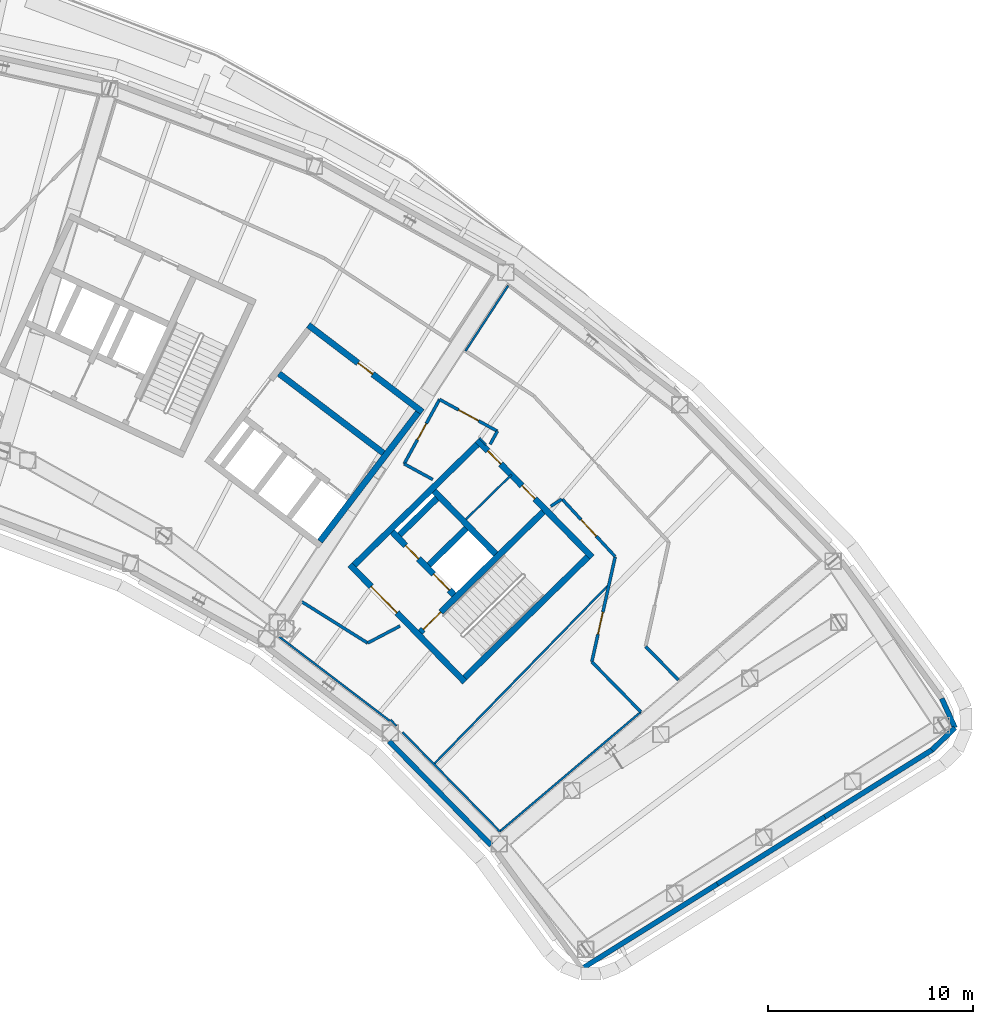
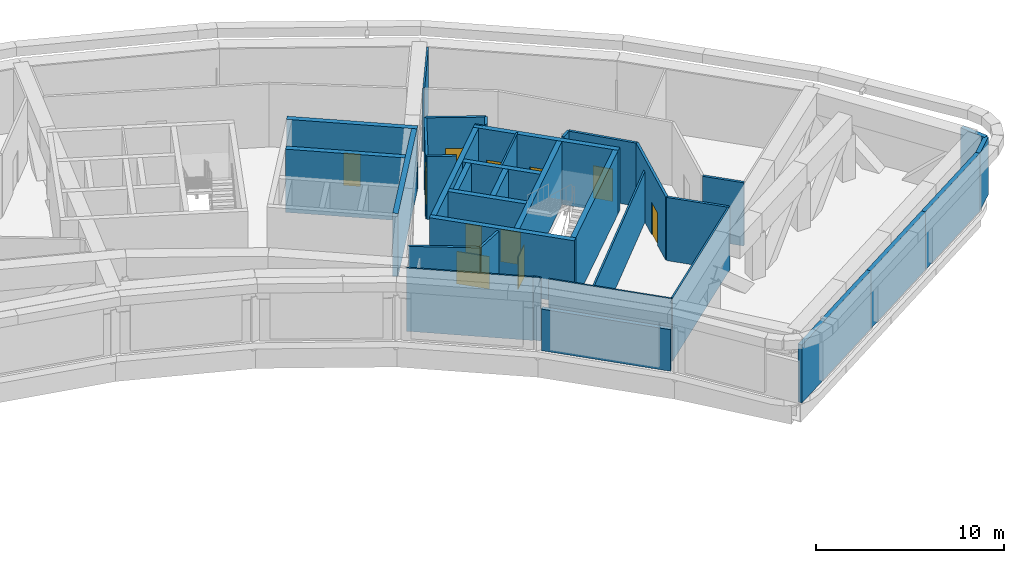
# One storey, part 10 of 24: 37 walls, 11 doors, 11 openings.
"""IFC4 building model written with IfcOpenShell, lengths in metres."""

from ifc_helpers import new_model, si_unit, direction, frame, frame_2d, origin, place, context, subcontext, project, spatial, rectangle, extrude, material, layer, layer_set, type_object, element, fill, save


model = new_model("IFC4")

# Units and contexts
model_context = context("Model", 3, precision=1e-05, world=origin(), true_north=direction((0.0, 1.0)))
body_context = subcontext(model_context, "Body", "Model", "MODEL_VIEW")
ifc_project = project(units=[si_unit("LENGTHUNIT", "METRE"), si_unit("AREAUNIT", "SQUARE_METRE"), si_unit("VOLUMEUNIT", "CUBIC_METRE"), si_unit("PLANEANGLEUNIT", "RADIAN"), si_unit("MASSUNIT", "GRAM", prefix="KILO")], contexts=[model_context])

# Site, building, storey
site_placement = place(None, origin())
site = spatial("IfcSite", under=ifc_project, at=site_placement, CompositionType="ELEMENT")
building_placement = place(site_placement, origin())
building = spatial("IfcBuilding", under=site, at=building_placement, Name="Tuul Gate Civic Tower", CompositionType="ELEMENT")
storey_placement = place(building_placement, frame((0.0, 0.0, 94.800048828125)))
storey = spatial("IfcBuildingStorey", under=building, at=storey_placement, Name="Plant and refuge floor 3", CompositionType="ELEMENT", Elevation=94.800048828125)

# Wall, opening, door
ifc_material_1 = material(Name="Concrete C50/60", Category="concrete")
ifc_layer_1 = layer(ifc_material_1, 0.300048828125)
ifc_layer_set_1 = layer_set([ifc_layer_1], Name="Concrete C50/60")
wall_type_1 = type_object("IfcWallType", Name="Core wall C50/60", PredefinedType="SHEAR", material=ifc_layer_set_1)
wall_1_placement = place(storey_placement, frame((48.22509765625, -18.327880859375, 0.0), z_axis=(0.0, 0.0, 1.0), x_axis=(-0.700021979774, 0.714121297703, 0.0)))
wall_1 = element("IfcWall", 1, at=wall_1_placement, inside=storey, type_object=wall_type_1, Name="Core wall", PredefinedType="SHEAR", context=body_context, shape_type="SweptSolid", body=[
    extrude(rectangle(XDim=8.0, YDim=0.300048828125, at=frame_2d((4.0, 0.0))), origin(), (0.0, 0.0, 1.0), 4.099853515625),
])
opening_1_placement = place(wall_1_placement, frame((4.72509765625, 0.0, 0.0)))
opening_1 = element("IfcOpeningElement", 2, at=opening_1_placement, cuts=wall_1, Name="Opening LB-E1-LOBBY-1", PredefinedType="OPENING", context=body_context, shape_type="SweptSolid", body=[
    extrude(rectangle(XDim=1.800048828125, YDim=2.10009765625, at=frame_2d((0.89990234375, 1.050048828125))), frame((0.0, 0.16015625, 0.0), z_axis=(0.0, -1.0, 0.0), x_axis=(1.0, 0.0, 0.0)), (0.0, 0.0, 1.0), 0.320068359375),
])
ifc_material_2 = material(Name="Steel", Category="steel")
door_type_1 = type_object("IfcDoorType", Name="Lobby door", OperationType="DOUBLE_DOOR_SINGLE_SWING", PredefinedType="DOOR", material=ifc_material_2)
door_1_placement = place(opening_1_placement, frame((1.800048828125, 0.0, 0.0), z_axis=(0.0, 0.0, 1.0), x_axis=(-1.0, 0.0, 0.0)))
door_1 = element("IfcDoor", 3, at=door_1_placement, inside=storey, type_object=door_type_1, Name="Lobby door E1-LOBBY", OperationType="DOUBLE_DOOR_SINGLE_SWING", OverallHeight=2.10009765625, OverallWidth=1.800048828125, PredefinedType="DOOR", context=body_context, shape_type="SweptSolid", body=[
    extrude(rectangle(XDim=1.800048828125, YDim=2.10009765625, at=frame_2d((0.900146484375, 1.050048828125))), frame((0.0, 0.02490234375, 0.0), z_axis=(0.0, -1.0, 0.0), x_axis=(1.0, 0.0, 0.0)), (0.0, 0.0, 1.0), 0.050048828125),
])
fill(opening_1, door_1)

# Wall, openings, doors
wall_2_placement = place(storey_placement, frame((47.701904296875, -14.079833984375, 0.0), z_axis=(0.0, 0.0, 1.0), x_axis=(-0.700002721075, 0.714140175657, 0.0)))
wall_2 = element("IfcWall", 4, at=wall_2_placement, inside=storey, type_object=wall_type_1, Name="Core wall", PredefinedType="SHEAR", context=body_context, shape_type="SweptSolid", body=[
    extrude(rectangle(XDim=4.300048828125, YDim=0.300048828125, at=frame_2d((2.14990234375, 0.0))), origin(), (0.0, 0.0, 1.0), 4.099853515625),
])
opening_2_placement = place(wall_2_placement, frame((0.324951171875, 0.0, 0.0)))
opening_2 = element("IfcOpeningElement", 5, at=opening_2_placement, cuts=wall_2, Name="Opening LD-L4", PredefinedType="OPENING", context=body_context, shape_type="SweptSolid", body=[
    extrude(rectangle(XDim=1.10009765625, YDim=2.10009765625, at=frame_2d((0.550048828125, 1.050048828125))), frame((0.0, 0.16015625, 0.0), z_axis=(0.0, -1.0, 0.0), x_axis=(1.0, 0.0, 0.0)), (0.0, 0.0, 1.0), 0.320068359375),
])
opening_3_placement = place(wall_2_placement, frame((2.47509765625, 0.0, 0.0)))
opening_3 = element("IfcOpeningElement", 6, at=opening_3_placement, cuts=wall_2, Name="Opening FB-E1A2", PredefinedType="OPENING", context=body_context, shape_type="SweptSolid", body=[
    extrude(rectangle(XDim=0.89990234375, YDim=2.10009765625, at=frame_2d((0.449951171875, 1.050048828125))), frame((0.0, 0.16015625, 0.0), z_axis=(0.0, -1.0, 0.0), x_axis=(1.0, 0.0, 0.0)), (0.0, 0.0, 1.0), 0.320068359375),
])
ifc_material_3 = material(Name="Stainless steel", Category="steel")
door_type_2 = type_object("IfcDoorType", Name="Landing door", OperationType="DOUBLE_DOOR_SLIDING", PredefinedType="DOOR", material=ifc_material_3)
door_2_placement = place(opening_2_placement, origin())
door_2 = element("IfcDoor", 7, at=door_2_placement, inside=storey, type_object=door_type_2, Name="Low-rise lift L4 landing door", OperationType="DOUBLE_DOOR_SLIDING", OverallHeight=2.10009765625, OverallWidth=1.10009765625, PredefinedType="DOOR", context=body_context, shape_type="SweptSolid", body=[
    extrude(rectangle(XDim=1.10009765625, YDim=2.10009765625, at=frame_2d((0.550048828125, 1.050048828125))), frame((0.0, 0.02490234375, 0.0), z_axis=(0.0, -1.0, 0.0), x_axis=(1.0, 0.0, 0.0)), (0.0, 0.0, 1.0), 0.050048828125),
])
fill(opening_2, door_2)
ifc_material_4 = material(Name="Steel", Category="steel")
door_type_3 = type_object("IfcDoorType", Name="Store door", OperationType="NOTDEFINED", PredefinedType="DOOR", material=ifc_material_4)
door_3_placement = place(opening_3_placement, frame((0.89990234375, 0.0, 0.0), z_axis=(0.0, 0.0, 1.0), x_axis=(-1.0, 0.0, 0.0)))
door_3 = element("IfcDoor", 8, at=door_3_placement, inside=storey, type_object=door_type_3, Name="Store door E1A2", OperationType="SINGLE_SWING_LEFT", OverallHeight=2.10009765625, OverallWidth=0.89990234375, PredefinedType="DOOR", context=body_context, shape_type="SweptSolid", body=[
    extrude(rectangle(XDim=0.89990234375, YDim=2.10009765625, at=frame_2d((0.449951171875, 1.050048828125))), frame((0.0, 0.02490234375, 0.0), z_axis=(0.0, -1.0, 0.0), x_axis=(1.0, 0.0, 0.0)), (0.0, 0.0, 1.0), 0.050048828125),
])
fill(opening_3, door_3)

# Wall
wall_3_placement = place(storey_placement, frame((49.737060546875, -12.0849609375, 0.0), z_axis=(0.0, 0.0, 1.0), x_axis=(-0.700002721075, 0.714140175657, 0.0)))
element("IfcWall", 9, at=wall_3_placement, inside=storey, type_object=wall_type_1, Name="Core wall", PredefinedType="SHEAR", context=body_context, shape_type="SweptSolid", body=[
    extrude(rectangle(XDim=4.300048828125, YDim=0.300048828125, at=frame_2d((2.14990234375, 0.0))), origin(), (0.0, 0.0, 1.0), 4.099853515625),
])

# Wall, openings, doors
wall_4_placement = place(storey_placement, frame((54.43798828125, -12.23779296875, 0.0), z_axis=(0.0, 0.0, 1.0), x_axis=(-0.700021979774, 0.714121297703, 0.0)))
wall_4 = element("IfcWall", 10, at=wall_4_placement, inside=storey, type_object=wall_type_1, Name="Core wall", PredefinedType="SHEAR", context=body_context, shape_type="SweptSolid", body=[
    extrude(rectangle(XDim=8.0, YDim=0.300048828125, at=frame_2d((4.0, 0.0))), origin(), (0.0, 0.0, 1.0), 4.099853515625),
])
opening_4_placement = place(wall_4_placement, frame((3.987548828125, 0.0, 0.0)))
opening_4 = element("IfcOpeningElement", 11, at=opening_4_placement, cuts=wall_4, Name="Opening PA-D28", PredefinedType="OPENING", context=body_context, shape_type="SweptSolid", body=[
    extrude(rectangle(XDim=0.89990234375, YDim=2.10009765625, at=frame_2d((0.449951171875, 1.050048828125))), frame((0.0, 0.16015625, 0.0), z_axis=(0.0, -1.0, 0.0), x_axis=(1.0, 0.0, 0.0)), (0.0, 0.0, 1.0), 0.320068359375),
])
opening_5_placement = place(wall_4_placement, frame((6.362548828125, 0.0, 0.0)))
opening_5 = element("IfcOpeningElement", 12, at=opening_5_placement, cuts=wall_4, Name="Opening PA-D29", PredefinedType="OPENING", context=body_context, shape_type="SweptSolid", body=[
    extrude(rectangle(XDim=0.89990234375, YDim=2.10009765625, at=frame_2d((0.449951171875, 1.050048828125))), frame((0.0, 0.16015625, 0.0), z_axis=(0.0, -1.0, 0.0), x_axis=(1.0, 0.0, 0.0)), (0.0, 0.0, 1.0), 0.320068359375),
])
ifc_material_5 = material(Name="Timber door leaf", Category="wood")
door_type_4 = type_object("IfcDoorType", Name="Door D09", OperationType="NOTDEFINED", PredefinedType="DOOR", material=ifc_material_5)
door_4_placement = place(opening_4_placement, origin())
door_4 = element("IfcDoor", 13, at=door_4_placement, inside=storey, type_object=door_type_4, Name="Door PA-D28", OperationType="SINGLE_SWING_LEFT", OverallHeight=2.10009765625, OverallWidth=0.89990234375, PredefinedType="DOOR", context=body_context, shape_type="SweptSolid", body=[
    extrude(rectangle(XDim=0.89990234375, YDim=2.10009765625, at=frame_2d((0.449951171875, 1.050048828125))), frame((0.0, 0.02490234375, 0.0), z_axis=(0.0, -1.0, 0.0), x_axis=(1.0, 0.0, 0.0)), (0.0, 0.0, 1.0), 0.050048828125),
])
fill(opening_4, door_4)
door_5_placement = place(opening_5_placement, origin())
door_5 = element("IfcDoor", 14, at=door_5_placement, inside=storey, type_object=door_type_4, Name="Door PA-D29", OperationType="SINGLE_SWING_LEFT", OverallHeight=2.10009765625, OverallWidth=0.89990234375, PredefinedType="DOOR", context=body_context, shape_type="SweptSolid", body=[
    extrude(rectangle(XDim=0.89990234375, YDim=2.10009765625, at=frame_2d((0.449951171875, 1.050048828125))), frame((0.0, 0.02490234375, 0.0), z_axis=(0.0, -1.0, 0.0), x_axis=(1.0, 0.0, 0.0)), (0.0, 0.0, 1.0), 0.050048828125),
])
fill(opening_5, door_5)

# Wall
wall_5_placement = place(storey_placement, frame((48.227294921875, -18.115966796875, 0.0), z_axis=(0.0, 0.0, 1.0), x_axis=(0.714105315431, 0.700038283577, 0.0)))
element("IfcWall", 15, at=wall_5_placement, inside=storey, type_object=wall_type_1, Name="Core wall", PredefinedType="SHEAR", context=body_context, shape_type="SweptSolid", body=[
    extrude(rectangle(XDim=8.400146484375, YDim=0.300048828125, at=frame_2d((4.2001953125, 0.0))), origin(), (0.0, 0.0, 1.0), 4.099853515625),
])

# Wall, opening, door
wall_6_placement = place(storey_placement, frame((46.05712890625, -15.902099609375, 0.0), z_axis=(0.0, 0.0, 1.0), x_axis=(0.714134086973, 0.700008932674, 0.0)))
wall_6 = element("IfcWall", 16, at=wall_6_placement, inside=storey, type_object=wall_type_1, Name="Core wall", PredefinedType="SHEAR", context=body_context, shape_type="SweptSolid", body=[
    extrude(rectangle(XDim=8.400146484375, YDim=0.300048828125, at=frame_2d((4.2001953125, 0.0))), origin(), (0.0, 0.0, 1.0), 4.099853515625),
])
opening_6_placement = place(wall_6_placement, frame((0.199951171875, 0.0, 0.0)))
opening_6 = element("IfcOpeningElement", 17, at=opening_6_placement, cuts=wall_6, Name="Opening SD-ST-3", PredefinedType="OPENING", context=body_context, shape_type="SweptSolid", body=[
    extrude(rectangle(XDim=1.199951171875, YDim=2.10009765625, at=frame_2d((0.60009765625, 1.050048828125))), frame((0.0, 0.16015625, 0.0), z_axis=(0.0, -1.0, 0.0), x_axis=(1.0, 0.0, 0.0)), (0.0, 0.0, 1.0), 0.320068359375),
])
ifc_material_6 = material(Name="Steel", Category="steel")
door_type_5 = type_object("IfcDoorType", Name="Stair door", OperationType="NOTDEFINED", PredefinedType="DOOR", material=ifc_material_6)
door_6_placement = place(opening_6_placement, origin())
door_6 = element("IfcDoor", 18, at=door_6_placement, inside=storey, type_object=door_type_5, Name="Stair door ST-3", OperationType="SINGLE_SWING_LEFT", OverallHeight=2.10009765625, OverallWidth=1.199951171875, PredefinedType="DOOR", context=body_context, shape_type="SweptSolid", body=[
    extrude(rectangle(XDim=1.199951171875, YDim=2.10009765625, at=frame_2d((0.60009765625, 1.050048828125))), frame((0.0, 0.02490234375, 0.0), z_axis=(0.0, -1.0, 0.0), x_axis=(1.0, 0.0, 0.0)), (0.0, 0.0, 1.0), 0.050048828125),
])
fill(opening_6, door_6)

# Walls
wall_7_placement = place(storey_placement, frame((46.47900390625, -12.617919921875, 0.0), z_axis=(0.0, 0.0, 1.0), x_axis=(0.71410944159, 0.700034074479, 0.0)))
element("IfcWall", 19, at=wall_7_placement, inside=storey, type_object=wall_type_1, Name="Core wall", PredefinedType="SHEAR", context=body_context, shape_type="SweptSolid", body=[
    extrude(rectangle(XDim=2.5498046875, YDim=0.300048828125, at=frame_2d((1.27490234375, 0.0))), origin(), (0.0, 0.0, 1.0), 4.099853515625),
])
wall_8_placement = place(storey_placement, frame((45.0439453125, -11.154052734375, 0.0), z_axis=(0.0, 0.0, 1.0), x_axis=(0.714108498262, 0.700035036773, 0.0)))
element("IfcWall", 20, at=wall_8_placement, inside=storey, type_object=wall_type_1, Name="Core wall", PredefinedType="SHEAR", context=body_context, shape_type="SweptSolid", body=[
    extrude(rectangle(XDim=2.550048828125, YDim=0.300048828125, at=frame_2d((1.27490234375, 0.0))), origin(), (0.0, 0.0, 1.0), 4.099853515625),
])
wall_9_placement = place(storey_placement, frame((42.837158203125, -12.616943359375, 0.0), z_axis=(0.0, 0.0, 1.0), x_axis=(0.714119844755, 0.700023461983, 0.0)))
element("IfcWall", 21, at=wall_9_placement, inside=storey, type_object=wall_type_1, Name="Core wall", PredefinedType="SHEAR", context=body_context, shape_type="SweptSolid", body=[
    extrude(rectangle(XDim=8.39990234375, YDim=0.300048828125, at=frame_2d((4.199951171875, 0.0))), origin(), (0.0, 0.0, 1.0), 4.099853515625),
])
ifc_material_7 = material(Name="Gypsum board partition")
ifc_layer_2 = layer(ifc_material_7, 0.14990234375)
ifc_layer_set_2 = layer_set([ifc_layer_2], Name="Gypsum board partition")
wall_type_2 = type_object("IfcWallType", Name="Corridor wall P150", PredefinedType="PARTITIONING", material=ifc_layer_set_2)
wall_10_placement = place(storey_placement, frame((49.463623046875, -6.73486328125, 0.0), z_axis=(0.0, 0.0, 1.0), x_axis=(0.481293842722, 0.876559317421, 0.0)))
element("IfcWall", 22, at=wall_10_placement, inside=storey, type_object=wall_type_2, Name="p001", PredefinedType="PARTITIONING", context=body_context, shape_type="SweptSolid", body=[
    extrude(rectangle(XDim=0.735107421875, YDim=0.14990234375, at=frame_2d((0.36767578125, 0.0))), origin(), (0.0, 0.0, 1.0), 4.099853515625),
])
wall_11_placement = place(storey_placement, frame((45.26953125, -7.68359375, 0.0), z_axis=(0.0, 0.0, 1.0), x_axis=(0.876582365009, -0.481251864781, 0.0)))
element("IfcWall", 23, at=wall_11_placement, inside=storey, type_object=wall_type_2, Name="p002", PredefinedType="PARTITIONING", context=body_context, shape_type="SweptSolid", body=[
    extrude(rectangle(XDim=1.58837890625, YDim=0.14990234375, at=frame_2d((0.794189453125, 0.0))), origin(), (0.0, 0.0, 1.0), 4.099853515625),
])

# Wall, opening, door
wall_12_placement = place(storey_placement, frame((45.26953125, -7.68359375, 0.0), z_axis=(0.0, 0.0, 1.0), x_axis=(0.481207508663, 0.87660671547, 0.0)))
wall_12 = element("IfcWall", 24, at=wall_12_placement, inside=storey, type_object=wall_type_2, Name="p003", PredefinedType="PARTITIONING", context=body_context, shape_type="SweptSolid", body=[
    extrude(rectangle(XDim=3.5849609375, YDim=0.14990234375, at=frame_2d((1.79248046875, 0.0))), origin(), (0.0, 0.0, 1.0), 4.099853515625),
])
opening_7_placement = place(wall_12_placement, frame((1.342529296875, 0.0, 0.0)))
opening_7 = element("IfcOpeningElement", 25, at=opening_7_placement, cuts=wall_12, Name="Opening PA-D01", PredefinedType="OPENING", context=body_context, shape_type="SweptSolid", body=[
    extrude(rectangle(XDim=0.89990234375, YDim=2.10009765625, at=frame_2d((0.449951171875, 1.050048828125))), frame((0.0, 0.0849609375, 0.0), z_axis=(0.0, -1.0, 0.0), x_axis=(1.0, 0.0, 0.0)), (0.0, 0.0, 1.0), 0.169921875),
])
door_7_placement = place(opening_7_placement, frame((0.89990234375, 0.0, 0.0), z_axis=(0.0, 0.0, 1.0), x_axis=(-1.0, 0.0, 0.0)))
door_7 = element("IfcDoor", 26, at=door_7_placement, inside=storey, type_object=door_type_4, Name="Door PA-D01", OperationType="SINGLE_SWING_LEFT", OverallHeight=2.10009765625, OverallWidth=0.89990234375, PredefinedType="DOOR", context=body_context, shape_type="SweptSolid", body=[
    extrude(rectangle(XDim=0.89990234375, YDim=2.10009765625, at=frame_2d((0.449951171875, 1.050048828125))), frame((0.0, 0.02490234375, 0.0), z_axis=(0.0, -1.0, 0.0), x_axis=(1.0, 0.0, 0.0)), (0.0, 0.0, 1.0), 0.050048828125),
])
fill(opening_7, door_7)

wall_13_placement = place(storey_placement, frame((46.99462890625, -4.541015625, 0.0), z_axis=(0.0, 0.0, 1.0), x_axis=(0.876603008381, -0.481214261736, 0.0)))
wall_13 = element("IfcWall", 27, at=wall_13_placement, inside=storey, type_object=wall_type_2, Name="p004", PredefinedType="PARTITIONING", context=body_context, shape_type="SweptSolid", body=[
    extrude(rectangle(XDim=3.22021484375, YDim=0.14990234375, at=frame_2d((1.610107421875, 0.0))), origin(), (0.0, 0.0, 1.0), 4.099853515625),
])
opening_8_placement = place(wall_13_placement, frame((1.06005859375, 0.0, 0.0)))
opening_8 = element("IfcOpeningElement", 28, at=opening_8_placement, cuts=wall_13, Name="Opening PA-D241", PredefinedType="OPENING", context=body_context, shape_type="SweptSolid", body=[
    extrude(rectangle(XDim=1.10009765625, YDim=2.10009765625, at=frame_2d((0.550048828125, 1.050048828125))), frame((0.0, 0.0849609375, 0.0), z_axis=(0.0, -1.0, 0.0), x_axis=(1.0, 0.0, 0.0)), (0.0, 0.0, 1.0), 0.169921875),
])
ifc_material_8 = material(Name="Timber door leaf", Category="wood")
door_type_6 = type_object("IfcDoorType", Name="Door D11", OperationType="NOTDEFINED", PredefinedType="DOOR", material=ifc_material_8)
door_8_placement = place(opening_8_placement, frame((1.10009765625, 0.0, 0.0), z_axis=(0.0, 0.0, 1.0), x_axis=(-1.0, 0.0, 0.0)))
door_8 = element("IfcDoor", 29, at=door_8_placement, inside=storey, type_object=door_type_6, Name="Door PA-D24", OperationType="SINGLE_SWING_LEFT", OverallHeight=2.10009765625, OverallWidth=1.10009765625, PredefinedType="DOOR", context=body_context, shape_type="SweptSolid", body=[
    extrude(rectangle(XDim=1.10009765625, YDim=2.10009765625, at=frame_2d((0.550048828125, 1.050048828125))), frame((0.0, 0.02490234375, 0.0), z_axis=(0.0, -1.0, 0.0), x_axis=(1.0, 0.0, 0.0)), (0.0, 0.0, 1.0), 0.050048828125),
])
fill(opening_8, door_8)

wall_14_placement = place(storey_placement, frame((54.427734375, -17.346435546875, 0.0), z_axis=(0.0, 0.0, 1.0), x_axis=(0.217127538478, 0.976143243604, 0.0)))
wall_14 = element("IfcWall", 30, at=wall_14_placement, inside=storey, type_object=wall_type_2, Name="p007", PredefinedType="PARTITIONING", context=body_context, shape_type="SweptSolid", body=[
    extrude(rectangle(XDim=5.24658203125, YDim=0.14990234375, at=frame_2d((2.623291015625, 0.0))), origin(), (0.0, 0.0, 1.0), 4.099853515625),
])
opening_9_placement = place(wall_14_placement, frame((1.385986328125, 0.0, 0.0)))
opening_9 = element("IfcOpeningElement", 31, at=opening_9_placement, cuts=wall_14, Name="Opening PA-D03", PredefinedType="OPENING", context=body_context, shape_type="SweptSolid", body=[
    extrude(rectangle(XDim=1.10009765625, YDim=2.10009765625, at=frame_2d((0.550048828125, 1.050048828125))), frame((0.0, 0.0849609375, 0.0), z_axis=(0.0, -1.0, 0.0), x_axis=(1.0, 0.0, 0.0)), (0.0, 0.0, 1.0), 0.169921875),
])
door_9_placement = place(opening_9_placement, frame((1.10009765625, 0.0, 0.0), z_axis=(0.0, 0.0, 1.0), x_axis=(-1.0, 0.0, 0.0)))
door_9 = element("IfcDoor", 32, at=door_9_placement, inside=storey, type_object=door_type_6, Name="Door PA-D03", OperationType="SINGLE_SWING_RIGHT", OverallHeight=2.10009765625, OverallWidth=1.10009765625, PredefinedType="DOOR", context=body_context, shape_type="SweptSolid", body=[
    extrude(rectangle(XDim=1.10009765625, YDim=2.10009765625, at=frame_2d((0.550048828125, 1.050048828125))), frame((0.0, 0.02490234375, 0.0), z_axis=(0.0, -1.0, 0.0), x_axis=(1.0, 0.0, 0.0)), (0.0, 0.0, 1.0), 0.050048828125),
])
fill(opening_9, door_9)

# Walls
wall_15_placement = place(storey_placement, frame((54.427978515625, -17.34765625, 0.0), z_axis=(0.0, 0.0, 1.0), x_axis=(0.700002877406, -0.714140022421, 0.0)))
element("IfcWall", 33, at=wall_15_placement, inside=storey, type_object=wall_type_2, Name="p008", PredefinedType="PARTITIONING", context=body_context, shape_type="SweptSolid", body=[
    extrude(rectangle(XDim=3.41943359375, YDim=0.14990234375, at=frame_2d((1.709716796875, 0.0))), origin(), (0.0, 0.0, 1.0), 4.099853515625),
])
wall_16_placement = place(storey_placement, frame((43.485107421875, -16.4287109375, 0.0), z_axis=(0.0, 0.0, 1.0), x_axis=(0.88554814596, 0.464547609172, 0.0)))
element("IfcWall", 34, at=wall_16_placement, inside=storey, type_object=wall_type_2, Name="p009", PredefinedType="PARTITIONING", context=body_context, shape_type="SweptSolid", body=[
    extrude(rectangle(XDim=1.788330078125, YDim=0.14990234375, at=frame_2d((0.89404296875, 0.0))), origin(), (0.0, 0.0, 1.0), 4.099853515625),
])
wall_17_placement = place(storey_placement, frame((52.424560546875, -9.75439453125, 0.0), z_axis=(0.0, 0.0, 1.0), x_axis=(0.838496290318, 0.544907305074, 0.0)))
element("IfcWall", 35, at=wall_17_placement, inside=storey, type_object=wall_type_2, Name="p010", PredefinedType="PARTITIONING", context=body_context, shape_type="SweptSolid", body=[
    extrude(rectangle(XDim=0.63525390625, YDim=0.14990234375, at=frame_2d((0.317626953125, 0.0))), origin(), (0.0, 0.0, 1.0), 4.099853515625),
])

# Wall, opening, door
wall_18_placement = place(storey_placement, frame((52.983642578125, -9.41162109375, 0.0), z_axis=(0.0, 0.0, 1.0), x_axis=(0.678090741191, -0.734978194718, 0.0)))
wall_18 = element("IfcWall", 36, at=wall_18_placement, inside=storey, type_object=wall_type_2, Name="p011", PredefinedType="PARTITIONING", context=body_context, shape_type="SweptSolid", body=[
    extrude(rectangle(XDim=3.802490234375, YDim=0.14990234375, at=frame_2d((1.9013671875, 0.0))), origin(), (0.0, 0.0, 1.0), 4.099853515625),
])
opening_10_placement = place(wall_18_placement, frame((1.351318359375, 0.0, 0.0)))
opening_10 = element("IfcOpeningElement", 37, at=opening_10_placement, cuts=wall_18, Name="Opening PA-D04", PredefinedType="OPENING", context=body_context, shape_type="SweptSolid", body=[
    extrude(rectangle(XDim=1.10009765625, YDim=2.10009765625, at=frame_2d((0.550048828125, 1.050048828125))), frame((0.0, 0.0849609375, 0.0), z_axis=(0.0, -1.0, 0.0), x_axis=(1.0, 0.0, 0.0)), (0.0, 0.0, 1.0), 0.169921875),
])
door_10_placement = place(opening_10_placement, origin())
door_10 = element("IfcDoor", 38, at=door_10_placement, inside=storey, type_object=door_type_6, Name="Door PA-D04", OperationType="SINGLE_SWING_RIGHT", OverallHeight=2.10009765625, OverallWidth=1.10009765625, PredefinedType="DOOR", context=body_context, shape_type="SweptSolid", body=[
    extrude(rectangle(XDim=1.10009765625, YDim=2.10009765625, at=frame_2d((0.550048828125, 1.050048828125))), frame((0.0, 0.02490234375, 0.0), z_axis=(0.0, -1.0, 0.0), x_axis=(1.0, 0.0, 0.0)), (0.0, 0.0, 1.0), 0.050048828125),
])
fill(opening_10, door_10)

# Walls
wall_19_placement = place(storey_placement, frame((40.27099609375, -14.4130859375, 0.0), z_axis=(0.0, 0.0, 1.0), x_axis=(0.847100258972, -0.531433110796, 0.0)))
element("IfcWall", 39, at=wall_19_placement, inside=storey, type_object=wall_type_2, Name="p013", PredefinedType="PARTITIONING", context=body_context, shape_type="SweptSolid", body=[
    extrude(rectangle(XDim=3.792724609375, YDim=0.14990234375, at=frame_2d((1.896484375, 0.0))), origin(), (0.0, 0.0, 1.0), 4.099853515625),
])
wall_20_placement = place(storey_placement, frame((57.06103515625, -16.605224609375, 0.0), z_axis=(0.0, 0.0, 1.0), x_axis=(0.700058564291, -0.714085433658, 0.0)))
element("IfcWall", 40, at=wall_20_placement, inside=storey, type_object=wall_type_2, Name="p017", PredefinedType="PARTITIONING", context=body_context, shape_type="SweptSolid", body=[
    extrude(rectangle(XDim=2.280029296875, YDim=0.14990234375, at=frame_2d((1.14013671875, 0.0))), origin(), (0.0, 0.0, 1.0), 4.099853515625),
])
ifc_material_9 = material(Name="Precast concrete C40/50", Category="concrete")
ifc_layer_3 = layer(ifc_material_9, 0.25)
ifc_layer_set_3 = layer_set([ifc_layer_3], Name="Precast concrete C40/50")
wall_type_3 = type_object("IfcWallType", Name="External wall", PredefinedType="STANDARD", material=ifc_layer_set_3)
wall_21_placement = place(storey_placement, frame((71.01953125, -21.65478515625, 0.0), z_axis=(0.0, 0.0, 1.0), x_axis=(0.721480431371, 0.692434825199, 0.0)))
element("IfcWall", 41, at=wall_21_placement, inside=storey, type_object=wall_type_3, Name="External wall", PredefinedType="STANDARD", context=body_context, shape_type="SweptSolid", body=[
    extrude(rectangle(XDim=1.57177734375, YDim=0.25, at=frame_2d((0.785888671875, 0.0))), origin(), (0.0, 0.0, 1.0), 3.75),
])
wall_22_placement = place(storey_placement, frame((72.153564453125, -20.56640625, 0.0), z_axis=(0.0, 0.0, 1.0), x_axis=(-0.413052914155, 0.910707027594, 0.0)))
element("IfcWall", 42, at=wall_22_placement, inside=storey, type_object=wall_type_3, Name="External wall", PredefinedType="STANDARD", context=body_context, shape_type="SweptSolid", body=[
    extrude(rectangle(XDim=1.56982421875, YDim=0.25, at=frame_2d((0.784912109375, 0.0))), origin(), (0.0, 0.0, 1.0), 3.75),
])
wall_23_placement = place(storey_placement, frame((53.947998046875, -32.31884765625, 0.0), z_axis=(0.0, 0.0, 1.0), x_axis=(0.848051131154, 0.529914407191, 0.0)))
element("IfcWall", 43, at=wall_23_placement, inside=storey, type_object=wall_type_3, Name="External wall", PredefinedType="STANDARD", context=body_context, shape_type="SweptSolid", body=[
    extrude(rectangle(XDim=7.788330078125, YDim=0.25, at=frame_2d((3.89404296875, 0.0))), origin(), (0.0, 0.0, 1.0), 3.75),
])
for number, where, z_axis, x_axis, name in (
    (44, (60.552978515625, -28.191650390625, 0.0), (0.0, 0.0, 1.0), (0.848053758074, 0.529910203164, 0.0), "External wall"),
    (45, (65.79638671875, -24.915283203125, 0.0), (0.0, 0.0, 1.0), (0.848053758074, 0.529910203164, 0.0), "External wall"),
):
    element("IfcWall", number, at=place(storey_placement, frame(where, z_axis=z_axis, x_axis=x_axis)), inside=storey, type_object=wall_type_3, Name=name, PredefinedType="STANDARD", context=body_context, shape_type="SweptSolid", body=[
        extrude(rectangle(XDim=6.182861328125, YDim=0.25, at=frame_2d((3.09130859375, 0.0))), origin(), (0.0, 0.0, 1.0), 3.75),
    ])
ifc_material_10 = material(Name="Precast concrete C40/50", Category="concrete")
ifc_layer_4 = layer(ifc_material_10, 0.25)
ifc_layer_set_4 = layer_set([ifc_layer_4], Name="Precast concrete C40/50")
wall_type_4 = type_object("IfcWallType", Name="External wall 2700 HIGH", PredefinedType="STANDARD", material=ifc_layer_set_4)
wall_24_placement = place(storey_placement, frame((44.53271484375, -21.217041015625, 0.0), z_axis=(0.0, 0.0, 1.0), x_axis=(0.700049781876, -0.714094043454, 0.0)))
element("IfcWall", 46, at=wall_24_placement, inside=storey, type_object=wall_type_4, Name="External wall", PredefinedType="STANDARD", context=body_context, shape_type="SweptSolid", body=[
    extrude(rectangle(XDim=7.10986328125, YDim=0.25, at=frame_2d((3.554931640625, 0.0))), origin(), (0.0, 0.0, 1.0), 2.699951171875),
])
ifc_material_11 = material(Name="Concrete C40/50", Category="concrete")
ifc_layer_5 = layer(ifc_material_11, 0.300048828125)
ifc_layer_set_5 = layer_set([ifc_layer_5], Name="Concrete C40/50")
wall_type_5 = type_object("IfcWallType", Name="Lift shaft wall C40/50", PredefinedType="STANDARD", material=ifc_layer_set_5)
wall_25_placement = place(storey_placement, frame((44.254638671875, -7.15966796875, 0.0), z_axis=(0.0, 0.0, 1.0), x_axis=(-0.795565675562, 0.605867358312, 0.0)))
element("IfcWall", 47, at=wall_25_placement, inside=storey, type_object=wall_type_5, Name="Shaft wall", PredefinedType="STANDARD", context=body_context, shape_type="SweptSolid", body=[
    extrude(rectangle(XDim=6.400146484375, YDim=0.300048828125, at=frame_2d((3.2001953125, 0.0))), origin(), (0.0, 0.0, 1.0), 4.099853515625),
])

# Wall, opening, door
wall_26_placement = place(storey_placement, frame((46.1591796875, -5.1533203125, 0.0), z_axis=(0.0, 0.0, 1.0), x_axis=(-0.795579811045, 0.605848796531, 0.0)))
wall_26 = element("IfcWall", 48, at=wall_26_placement, inside=storey, type_object=wall_type_5, Name="Shaft wall", PredefinedType="STANDARD", context=body_context, shape_type="SweptSolid", body=[
    extrude(rectangle(XDim=7.0, YDim=0.300048828125, at=frame_2d((3.5, 0.0))), origin(), (0.0, 0.0, 1.0), 4.099853515625),
])
opening_11_placement = place(wall_26_placement, frame((3.050048828125, 0.0, 0.0)))
opening_11 = element("IfcOpeningElement", 49, at=opening_11_placement, cuts=wall_26, Name="Opening PA-D27", PredefinedType="OPENING", context=body_context, shape_type="SweptSolid", body=[
    extrude(rectangle(XDim=0.89990234375, YDim=2.10009765625, at=frame_2d((0.449951171875, 1.050048828125))), frame((0.0, 0.16015625, 0.0), z_axis=(0.0, -1.0, 0.0), x_axis=(1.0, 0.0, 0.0)), (0.0, 0.0, 1.0), 0.320068359375),
])
door_11_placement = place(opening_11_placement, origin())
door_11 = element("IfcDoor", 50, at=door_11_placement, inside=storey, type_object=door_type_4, Name="Door PA-D27", OperationType="SINGLE_SWING_LEFT", OverallHeight=2.10009765625, OverallWidth=0.89990234375, PredefinedType="DOOR", context=body_context, shape_type="SweptSolid", body=[
    extrude(rectangle(XDim=0.89990234375, YDim=2.10009765625, at=frame_2d((0.449951171875, 1.050048828125))), frame((0.0, 0.02490234375, 0.0), z_axis=(0.0, -1.0, 0.0), x_axis=(1.0, 0.0, 0.0)), (0.0, 0.0, 1.0), 0.050048828125),
])
fill(opening_11, door_11)

# Walls
wall_27_placement = place(storey_placement, frame((41.163330078125, -11.46728515625, 0.0), z_axis=(0.0, 0.0, 1.0), x_axis=(0.605784332699, 0.795628897324, 0.0)))
element("IfcWall", 51, at=wall_27_placement, inside=storey, type_object=wall_type_5, Name="Shaft wall", PredefinedType="STANDARD", context=body_context, shape_type="SweptSolid", body=[
    extrude(rectangle(XDim=7.89990234375, YDim=0.300048828125, at=frame_2d((3.949951171875, 0.0))), origin(), (0.0, 0.0, 1.0), 4.099853515625),
])
ifc_material_12 = material(Name="Gypsum board partition")
ifc_layer_6 = layer(ifc_material_12, 0.10009765625)
ifc_layer_set_6 = layer_set([ifc_layer_6], Name="Gypsum board partition")
wall_type_6 = type_object("IfcWallType", Name="Partition P100", PredefinedType="PARTITIONING", material=ifc_layer_set_6)
wall_28_placement = place(storey_placement, frame((49.265380859375, -6.74658203125, 0.0), z_axis=(0.0, 0.0, 1.0), x_axis=(-0.700135432336, 0.714010067428, 0.0)))
element("IfcWall", 52, at=wall_28_placement, inside=storey, type_object=wall_type_6, Name="p054", PredefinedType="PARTITIONING", context=body_context, shape_type="SweptSolid", body=[
    extrude(rectangle(XDim=0.45751953125, YDim=0.10009765625, at=frame_2d((0.228759765625, 0.0))), origin(), (0.0, 0.0, 1.0), 4.099853515625),
])
wall_29_placement = place(storey_placement, frame((56.821533203125, -19.78955078125, 0.0), z_axis=(0.0, 0.0, 1.0), x_axis=(-0.76283181203, -0.646596958356, 0.0)))
element("IfcWall", 53, at=wall_29_placement, inside=storey, type_object=wall_type_6, Name="p057", PredefinedType="PARTITIONING", context=body_context, shape_type="SweptSolid", body=[
    extrude(rectangle(XDim=9.0234375, YDim=0.10009765625, at=frame_2d((4.51171875, 0.0))), origin(), (0.0, 0.0, 1.0), 4.099853515625),
])
wall_30_placement = place(storey_placement, frame((49.938232421875, -25.6240234375, 0.0), z_axis=(0.0, 0.0, 1.0), x_axis=(-0.700017433589, 0.714125754102, 0.0)))
element("IfcWall", 54, at=wall_30_placement, inside=storey, type_object=wall_type_6, Name="p058", PredefinedType="PARTITIONING", context=body_context, shape_type="SweptSolid", body=[
    extrude(rectangle(XDim=6.783447265625, YDim=0.10009765625, at=frame_2d((3.3916015625, 0.0))), origin(), (0.0, 0.0, 1.0), 4.099853515625),
])
wall_31_placement = place(storey_placement, frame((44.89453125, -20.478759765625, 0.0), z_axis=(0.0, 0.0, 1.0), x_axis=(-0.700053868945, 0.714090036743, 0.0)))
element("IfcWall", 55, at=wall_31_placement, inside=storey, type_object=wall_type_6, Name="p060", PredefinedType="PARTITIONING", context=body_context, shape_type="SweptSolid", body=[
    extrude(rectangle(XDim=0.41748046875, YDim=0.10009765625, at=frame_2d((0.208740234375, 0.0))), origin(), (0.0, 0.0, 1.0), 4.099853515625),
])
wall_32_placement = place(storey_placement, frame((44.558837890625, -20.22314453125, 0.0), z_axis=(0.0, 0.0, 1.0), x_axis=(-0.795665434607, 0.605736342126, 0.0)))
element("IfcWall", 56, at=wall_32_placement, inside=storey, type_object=wall_type_6, Name="p061", PredefinedType="PARTITIONING", context=body_context, shape_type="SweptSolid", body=[
    extrude(rectangle(XDim=6.784423828125, YDim=0.10009765625, at=frame_2d((3.39208984375, 0.0))), origin(), (0.0, 0.0, 1.0), 4.099853515625),
])
wall_33_placement = place(storey_placement, frame((48.26171875, -2.17529296875, 0.0), z_axis=(0.0, 0.0, 1.0), x_axis=(0.546684320765, 0.837338792502, 0.0)))
element("IfcWall", 57, at=wall_33_placement, inside=storey, type_object=wall_type_6, Name="p066", PredefinedType="PARTITIONING", context=body_context, shape_type="SweptSolid", body=[
    extrude(rectangle(XDim=3.8076171875, YDim=0.10009765625, at=frame_2d((1.90380859375, 0.0))), origin(), (0.0, 0.0, 1.0), 4.099853515625),
])
wall_34_placement = place(storey_placement, frame((48.28662109375, -10.390869140625, 0.0), z_axis=(0.0, 0.0, 1.0), x_axis=(0.714159293908, 0.699983216173, 0.0)))
element("IfcWall", 58, at=wall_34_placement, inside=storey, type_object=wall_type_6, Name="bE1-BAND-0", PredefinedType="PARTITIONING", context=body_context, shape_type="SweptSolid", body=[
    extrude(rectangle(XDim=3.099853515625, YDim=0.10009765625, at=frame_2d((1.5498046875, 0.0))), origin(), (0.0, 0.0, 1.0), 4.099853515625),
])
ifc_material_13 = material(Name="Gypsum board partition")
ifc_layer_7 = layer(ifc_material_13, 0.10009765625)
ifc_layer_set_7 = layer_set([ifc_layer_7], Name="Gypsum board partition")
wall_type_7 = type_object("IfcWallType", Name="Partition P100 3300 HIGH", PredefinedType="PARTITIONING", material=ifc_layer_set_7)
wall_35_placement = place(storey_placement, frame((46.720703125, -22.341552734375, 0.0), z_axis=(0.0, 0.0, 1.0), x_axis=(0.697788699994, 0.716303657788, 0.0)))
element("IfcWall", 59, at=wall_35_placement, inside=storey, type_object=wall_type_7, Name="p006", PredefinedType="PARTITIONING", context=body_context, shape_type="SweptSolid", body=[
    extrude(rectangle(XDim=12.25, YDim=0.10009765625, at=frame_2d((6.125, 0.0))), origin(), (0.0, 0.0, 1.0), 3.300048828125),
])

save(model, "model.ifc")
